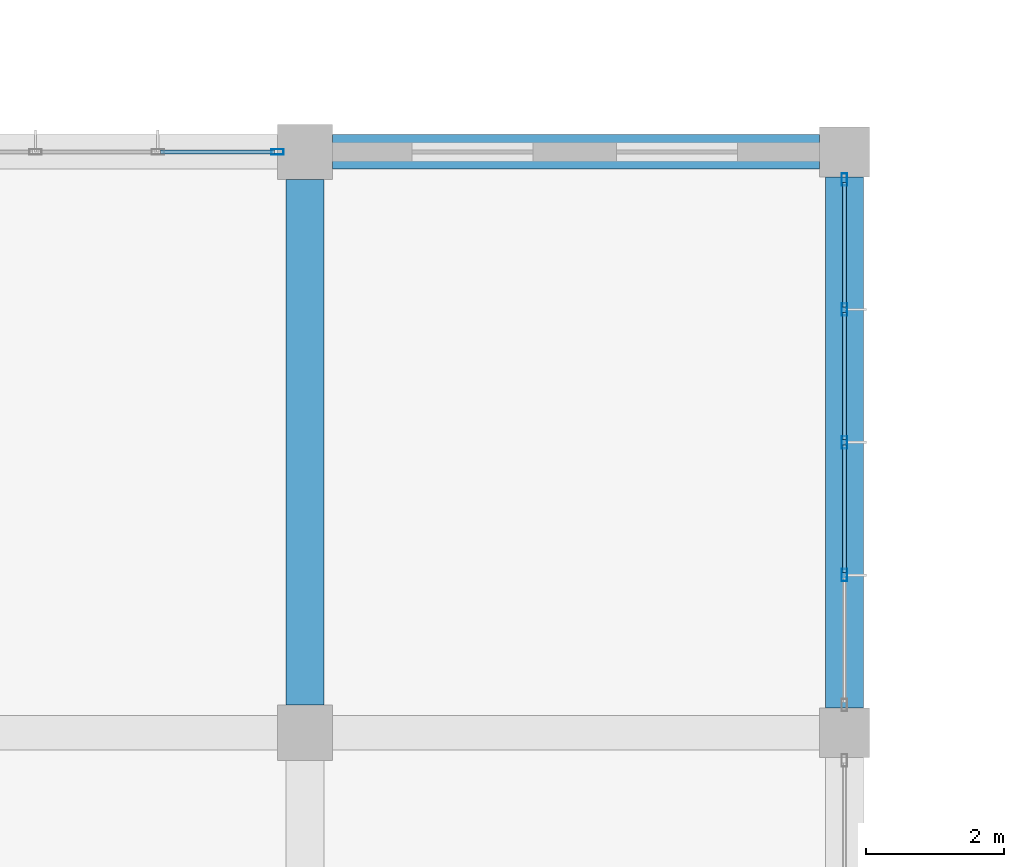
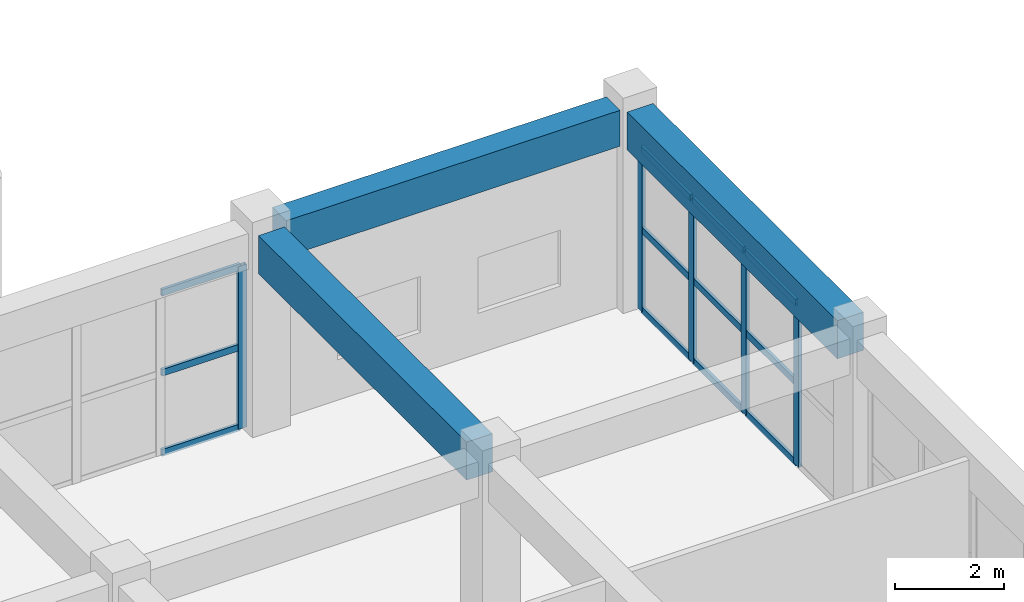
# One storey, part 99 of 139: 17 members, 3 beams, 2 elements without a shape of their own.
"""IFC4 building model written with IfcOpenShell, lengths in metres."""

from ifc_helpers import new_model, si_unit, direction, frame, origin, origin_2d, place, context, subcontext, project, spatial, rectangle, hollow_rectangle, extrude, material, layer, layer_set, material_profile, profile_set, type_object, element, aggregate, save


model = new_model("IFC4")

# Units and contexts
model_context = context("Model", 3, precision=1e-05, world=origin(), true_north=direction((0.0, 1.0)))
body_context = subcontext(model_context, "Body", "Model", "MODEL_VIEW")
ifc_project = project(units=[si_unit("LENGTHUNIT", "METRE"), si_unit("AREAUNIT", "SQUARE_METRE"), si_unit("VOLUMEUNIT", "CUBIC_METRE"), si_unit("PLANEANGLEUNIT", "RADIAN"), si_unit("MASSUNIT", "GRAM", prefix="KILO")], contexts=[model_context])

# Site, building, storey
site_placement = place(None, origin())
site = spatial("IfcSite", under=ifc_project, at=site_placement, CompositionType="ELEMENT")
building_placement = place(site_placement, origin())
building = spatial("IfcBuilding", under=site, at=building_placement, Name="Zizhar Promenade General Hospital", CompositionType="ELEMENT")
storey_placement = place(building_placement, origin())
storey = spatial("IfcBuildingStorey", under=building, at=storey_placement, Name="L00", CompositionType="ELEMENT", Elevation=0.0)

# Beams
ifc_material_1 = material(Name="Concrete C35/45", Category="concrete")
ifc_material_profile_1 = material_profile(ifc_material_1, rectangle(XDim=0.5, YDim=0.800048828125, at=origin_2d()))
ifc_profile_set_1 = profile_set([ifc_material_profile_1], Name="Concrete C35/45")
beam_type_1 = type_object("IfcBeamType", Name="BM-RC-500x800", PredefinedType="BEAM", material=ifc_profile_set_1)
beam_1_placement = place(storey_placement, frame((125.199951171875, 134.39990234375, 4.070068359375), z_axis=(1.0, 0.0, 0.0), x_axis=(0.0, 1.0, 0.0)))
element("IfcBeam", 1, at=beam_1_placement, inside=storey, type_object=beam_type_1, Name="Grid Beam X L00 (16-16)", PredefinedType="BEAM", context=body_context, shape_type="SweptSolid", body=[
    extrude(rectangle(XDim=0.5, YDim=0.800048828125, at=origin_2d()), origin(), (0.0, 0.0, 1.0), 7.0400390625),
])
ifc_material_2 = material(Name="Concrete C35/45", Category="concrete")
ifc_material_profile_2 = material_profile(ifc_material_2, rectangle(XDim=0.550048828125, YDim=0.85009765625, at=origin_2d()))
ifc_profile_set_2 = profile_set([ifc_material_profile_2], Name="Concrete C35/45")
beam_type_2 = type_object("IfcBeamType", Name="BM-RC-550x850", PredefinedType="BEAM", material=ifc_profile_set_2)
beam_2_placement = place(storey_placement, frame((124.800048828125, 126.39990234375, 4.044921875), z_axis=(0.0, 1.0, 0.0), x_axis=(-1.0, 0.0, 0.0)))
element("IfcBeam", 2, at=beam_2_placement, inside=storey, type_object=beam_type_2, Name="Grid Beam Y L00 (16-15)", PredefinedType="BEAM", context=body_context, shape_type="SweptSolid", body=[
    extrude(rectangle(XDim=0.550048828125, YDim=0.85009765625, at=origin_2d()), origin(), (0.0, 0.0, 1.0), 7.60009765625),
])
beam_3_placement = place(storey_placement, frame((132.60009765625, 126.360107421875, 4.044921875), z_axis=(0.0, 1.0, 0.0), x_axis=(-1.0, 0.0, 0.0)))
element("IfcBeam", 3, at=beam_3_placement, inside=storey, type_object=beam_type_2, Name="Grid Beam Y L00 (17-15)", PredefinedType="BEAM", context=body_context, shape_type="SweptSolid", body=[
    extrude(rectangle(XDim=0.550048828125, YDim=0.85009765625, at=origin_2d()), origin(), (0.0, 0.0, 1.0), 7.679931640625),
])

# Curtain wall, members
ifc_material_3 = material(Name="Anodised aluminium 6063-T6 and low-E glass", Category="aluminium")
ifc_layer_1 = layer(ifc_material_3, 0.159912109375)
ifc_layer_set_1 = layer_set([ifc_layer_1], Name="Anodised aluminium 6063-T6 and low-E glass")
curtain_wall_type_1 = type_object("IfcCurtainWallType", Name="CW-DT-MOD1", PredefinedType="NOTDEFINED", material=ifc_layer_set_1)
curtain_wall_1_placement = place(storey_placement, origin())
curtain_wall_1 = element("IfcCurtainWall", 4, at=curtain_wall_1_placement, inside=storey, type_object=curtain_wall_type_1, Name="Surgical East Glazed Curtain Wall L00-15", PredefinedType="NOTDEFINED")
ifc_material_4 = material(Name="Anodised aluminium 6063-T6", Category="aluminium")
ifc_material_profile_3 = material_profile(ifc_material_4, hollow_rectangle(XDim=0.080078125, YDim=0.179931640625, WallThickness=0.0048828125, at=origin_2d()))
ifc_profile_set_3 = profile_set([ifc_material_profile_3], Name="Anodised aluminium 6063-T6")
member_type_1 = type_object("IfcMemberType", Name="CWM-ALU-180x80", PredefinedType="MULLION", material=ifc_profile_set_3)
member_1_placement = place(storey_placement, frame((132.60009765625, 134.0, 0.0), z_axis=(0.0, 0.0, 1.0), x_axis=(1.0, 0.0, 0.0)))
member_1 = element("IfcMember", 5, at=member_1_placement, type_object=member_type_1, Name="CW-07 mullion 1", PredefinedType="MULLION", context=body_context, shape_type="SweptSolid", body=[
    extrude(hollow_rectangle(XDim=0.080078125, YDim=0.179931640625, WallThickness=0.0048828125, at=origin_2d()), origin(), (0.0, 0.0, 1.0), 3.6298828125),
])
member_2_placement = place(storey_placement, frame((132.60009765625, 132.1201171875, 0.0), z_axis=(0.0, 0.0, 1.0), x_axis=(1.0, 0.0, 0.0)))
member_2 = element("IfcMember", 6, at=member_2_placement, type_object=member_type_1, Name="CW-07 mullion 2", PredefinedType="MULLION", context=body_context, shape_type="SweptSolid", body=[
    extrude(hollow_rectangle(XDim=0.080078125, YDim=0.179931640625, WallThickness=0.0048828125, at=origin_2d()), origin(), (0.0, 0.0, 1.0), 3.6298828125),
])
member_3_placement = place(storey_placement, frame((132.60009765625, 130.199951171875, 0.0), z_axis=(0.0, 0.0, 1.0), x_axis=(1.0, 0.0, 0.0)))
member_3 = element("IfcMember", 7, at=member_3_placement, type_object=member_type_1, Name="CW-07 mullion 3", PredefinedType="MULLION", context=body_context, shape_type="SweptSolid", body=[
    extrude(hollow_rectangle(XDim=0.080078125, YDim=0.179931640625, WallThickness=0.0048828125, at=origin_2d()), origin(), (0.0, 0.0, 1.0), 3.6298828125),
])
member_4_placement = place(storey_placement, frame((132.60009765625, 128.280029296875, 0.0), z_axis=(0.0, 0.0, 1.0), x_axis=(1.0, 0.0, 0.0)))
member_4 = element("IfcMember", 8, at=member_4_placement, type_object=member_type_1, Name="CW-07 mullion 4", PredefinedType="MULLION", context=body_context, shape_type="SweptSolid", body=[
    extrude(hollow_rectangle(XDim=0.080078125, YDim=0.179931640625, WallThickness=0.0048828125, at=origin_2d()), origin(), (0.0, 0.0, 1.0), 3.6298828125),
])

# Curtain wall, member
ifc_material_5 = material(Name="Anodised aluminium 6063-T6 and low-E glass", Category="aluminium")
ifc_layer_2 = layer(ifc_material_5, 0.159912109375)
ifc_layer_set_2 = layer_set([ifc_layer_2], Name="Anodised aluminium 6063-T6 and low-E glass")
curtain_wall_type_2 = type_object("IfcCurtainWallType", Name="CW-DT-MOD2", PredefinedType="NOTDEFINED", material=ifc_layer_set_2)
curtain_wall_2_placement = place(storey_placement, origin())
curtain_wall_2 = element("IfcCurtainWall", 9, at=curtain_wall_2_placement, inside=storey, type_object=curtain_wall_type_2, Name="Surgical North Glazed Curtain Wall L00-15", PredefinedType="NOTDEFINED")
member_5_placement = place(storey_placement, frame((124.39990234375, 134.39990234375, 0.0), z_axis=(0.0, 0.0, 1.0), x_axis=(0.0, 1.0, 0.0)))
member_5 = element("IfcMember", 10, at=member_5_placement, type_object=member_type_1, Name="CW-08 mullion 5", PredefinedType="MULLION", context=body_context, shape_type="SweptSolid", body=[
    extrude(hollow_rectangle(XDim=0.080078125, YDim=0.179931640625, WallThickness=0.0048828125, at=origin_2d()), origin(), (0.0, 0.0, 1.0), 3.6298828125),
])

# Member
ifc_material_6 = material(Name="Anodised aluminium 6063-T6", Category="aluminium")
ifc_material_profile_4 = material_profile(ifc_material_6, hollow_rectangle(XDim=0.06005859375, YDim=0.14990234375, WallThickness=0.00390625, at=origin_2d()))
ifc_profile_set_4 = profile_set([ifc_material_profile_4], Name="Anodised aluminium 6063-T6")
member_type_2 = type_object("IfcMemberType", Name="CWT-ALU-150x60", PredefinedType="USERDEFINED", material=ifc_profile_set_4)
member_6_placement = place(storey_placement, frame((132.60009765625, 133.9599609375, 0.030029296875), z_axis=(0.0, -1.0, 0.0), x_axis=(1.0, 0.0, 0.0)))
member_6 = element("IfcMember", 11, at=member_6_placement, type_object=member_type_2, Name="CW-07 transom 1.1", ObjectType="TRANSOM", PredefinedType="USERDEFINED", context=body_context, shape_type="SweptSolid", body=[
    extrude(hollow_rectangle(XDim=0.06005859375, YDim=0.14990234375, WallThickness=0.00390625, at=origin_2d()), origin(), (0.0, 0.0, 1.0), 1.800048828125),
])

member_7_placement = place(storey_placement, frame((132.60009765625, 133.9599609375, 1.81494140625), z_axis=(0.0, -1.0, 0.0), x_axis=(1.0, 0.0, 0.0)))
member_7 = element("IfcMember", 12, at=member_7_placement, type_object=member_type_2, Name="CW-07 transom 1.2", ObjectType="TRANSOM", PredefinedType="USERDEFINED", context=body_context, shape_type="SweptSolid", body=[
    extrude(hollow_rectangle(XDim=0.06005859375, YDim=0.14990234375, WallThickness=0.00390625, at=origin_2d()), origin(), (0.0, 0.0, 1.0), 1.800048828125),
])

member_8_placement = place(storey_placement, frame((132.60009765625, 133.9599609375, 3.60009765625), z_axis=(0.0, -1.0, 0.0), x_axis=(1.0, 0.0, 0.0)))
member_8 = element("IfcMember", 13, at=member_8_placement, type_object=member_type_2, Name="CW-07 transom 1.3", ObjectType="TRANSOM", PredefinedType="USERDEFINED", context=body_context, shape_type="SweptSolid", body=[
    extrude(hollow_rectangle(XDim=0.06005859375, YDim=0.14990234375, WallThickness=0.00390625, at=origin_2d()), origin(), (0.0, 0.0, 1.0), 1.800048828125),
])

member_9_placement = place(storey_placement, frame((132.60009765625, 132.080078125, 0.030029296875), z_axis=(0.0, -1.0, 0.0), x_axis=(1.0, 0.0, 0.0)))
member_9 = element("IfcMember", 14, at=member_9_placement, type_object=member_type_2, Name="CW-07 transom 2.1", ObjectType="TRANSOM", PredefinedType="USERDEFINED", context=body_context, shape_type="SweptSolid", body=[
    extrude(hollow_rectangle(XDim=0.06005859375, YDim=0.14990234375, WallThickness=0.00390625, at=origin_2d()), origin(), (0.0, 0.0, 1.0), 1.840087890625),
])

member_10_placement = place(storey_placement, frame((132.60009765625, 132.080078125, 1.81494140625), z_axis=(0.0, -1.0, 0.0), x_axis=(1.0, 0.0, 0.0)))
member_10 = element("IfcMember", 15, at=member_10_placement, type_object=member_type_2, Name="CW-07 transom 2.2", ObjectType="TRANSOM", PredefinedType="USERDEFINED", context=body_context, shape_type="SweptSolid", body=[
    extrude(hollow_rectangle(XDim=0.06005859375, YDim=0.14990234375, WallThickness=0.00390625, at=origin_2d()), origin(), (0.0, 0.0, 1.0), 1.840087890625),
])

member_11_placement = place(storey_placement, frame((132.60009765625, 132.080078125, 3.60009765625), z_axis=(0.0, -1.0, 0.0), x_axis=(1.0, 0.0, 0.0)))
member_11 = element("IfcMember", 16, at=member_11_placement, type_object=member_type_2, Name="CW-07 transom 2.3", ObjectType="TRANSOM", PredefinedType="USERDEFINED", context=body_context, shape_type="SweptSolid", body=[
    extrude(hollow_rectangle(XDim=0.06005859375, YDim=0.14990234375, WallThickness=0.00390625, at=origin_2d()), origin(), (0.0, 0.0, 1.0), 1.840087890625),
])

member_12_placement = place(storey_placement, frame((132.60009765625, 130.159912109375, 0.030029296875), z_axis=(0.0, -1.0, 0.0), x_axis=(1.0, 0.0, 0.0)))
member_12 = element("IfcMember", 17, at=member_12_placement, type_object=member_type_2, Name="CW-07 transom 3.1", ObjectType="TRANSOM", PredefinedType="USERDEFINED", context=body_context, shape_type="SweptSolid", body=[
    extrude(hollow_rectangle(XDim=0.06005859375, YDim=0.14990234375, WallThickness=0.00390625, at=origin_2d()), origin(), (0.0, 0.0, 1.0), 1.83984375),
])

member_13_placement = place(storey_placement, frame((132.60009765625, 130.159912109375, 1.81494140625), z_axis=(0.0, -1.0, 0.0), x_axis=(1.0, 0.0, 0.0)))
member_13 = element("IfcMember", 18, at=member_13_placement, type_object=member_type_2, Name="CW-07 transom 3.2", ObjectType="TRANSOM", PredefinedType="USERDEFINED", context=body_context, shape_type="SweptSolid", body=[
    extrude(hollow_rectangle(XDim=0.06005859375, YDim=0.14990234375, WallThickness=0.00390625, at=origin_2d()), origin(), (0.0, 0.0, 1.0), 1.83984375),
])

member_14_placement = place(storey_placement, frame((132.60009765625, 130.159912109375, 3.60009765625), z_axis=(0.0, -1.0, 0.0), x_axis=(1.0, 0.0, 0.0)))
member_14 = element("IfcMember", 19, at=member_14_placement, type_object=member_type_2, Name="CW-07 transom 3.3", ObjectType="TRANSOM", PredefinedType="USERDEFINED", context=body_context, shape_type="SweptSolid", body=[
    extrude(hollow_rectangle(XDim=0.06005859375, YDim=0.14990234375, WallThickness=0.00390625, at=origin_2d()), origin(), (0.0, 0.0, 1.0), 1.83984375),
])

aggregate(curtain_wall_1, [member_1, member_2, member_3, member_4, member_6, member_7, member_8, member_9, member_10, member_11, member_12, member_13, member_14])

member_15_placement = place(storey_placement, frame((122.7099609375, 134.39990234375, 0.030029296875), z_axis=(1.0, 0.0, 0.0), x_axis=(0.0, 1.0, 0.0)))
member_15 = element("IfcMember", 20, at=member_15_placement, type_object=member_type_2, Name="CW-08 transom 4.1", ObjectType="TRANSOM", PredefinedType="USERDEFINED", context=body_context, shape_type="SweptSolid", body=[
    extrude(hollow_rectangle(XDim=0.06005859375, YDim=0.14990234375, WallThickness=0.00390625, at=origin_2d()), origin(), (0.0, 0.0, 1.0), 1.650146484375),
])

member_16_placement = place(storey_placement, frame((122.7099609375, 134.39990234375, 1.81494140625), z_axis=(1.0, 0.0, 0.0), x_axis=(0.0, 1.0, 0.0)))
member_16 = element("IfcMember", 21, at=member_16_placement, type_object=member_type_2, Name="CW-08 transom 4.2", ObjectType="TRANSOM", PredefinedType="USERDEFINED", context=body_context, shape_type="SweptSolid", body=[
    extrude(hollow_rectangle(XDim=0.06005859375, YDim=0.14990234375, WallThickness=0.00390625, at=origin_2d()), origin(), (0.0, 0.0, 1.0), 1.650146484375),
])

member_17_placement = place(storey_placement, frame((122.7099609375, 134.39990234375, 3.60009765625), z_axis=(1.0, 0.0, 0.0), x_axis=(0.0, 1.0, 0.0)))
member_17 = element("IfcMember", 22, at=member_17_placement, type_object=member_type_2, Name="CW-08 transom 4.3", ObjectType="TRANSOM", PredefinedType="USERDEFINED", context=body_context, shape_type="SweptSolid", body=[
    extrude(hollow_rectangle(XDim=0.06005859375, YDim=0.14990234375, WallThickness=0.00390625, at=origin_2d()), origin(), (0.0, 0.0, 1.0), 1.650146484375),
])

aggregate(curtain_wall_2, [member_5, member_15, member_16, member_17])

save(model, "model.ifc")
